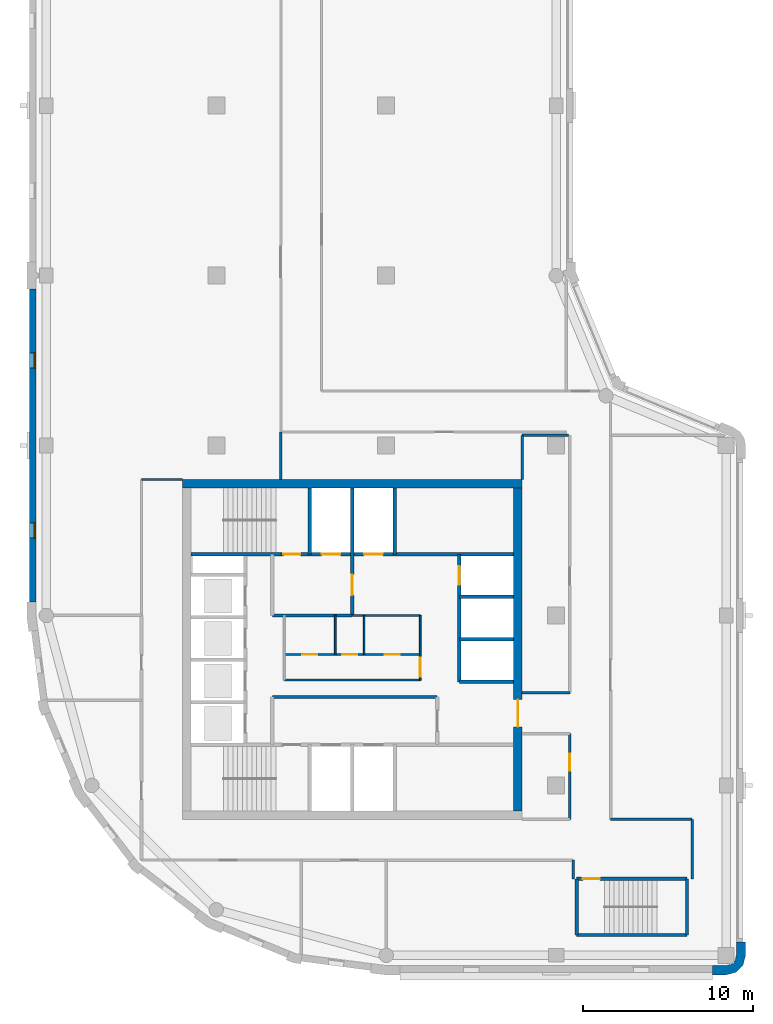
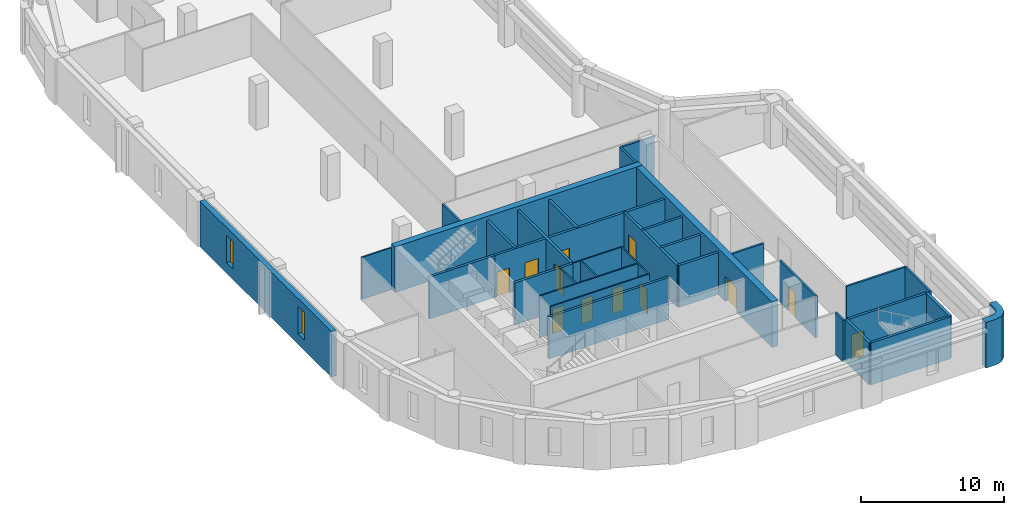
# One storey, part 3 of 8: 34 walls, 12 doors, 2 windows, 14 openings.
"""IFC4 building model written with IfcOpenShell, lengths in metres."""

from ifc_helpers import new_model, si_unit, direction, frame, frame_2d, origin, place, context, subcontext, project, spatial, polyline, rectangle, outline, extrude, material, layer, layer_set, type_object, element, fill, save


model = new_model("IFC4")

# Units and contexts
model_context = context("Model", 3, precision=1e-05, world=origin(), true_north=direction((0.0, 1.0)))
body_context = subcontext(model_context, "Body", "Model", "MODEL_VIEW")
ifc_project = project(units=[si_unit("LENGTHUNIT", "METRE"), si_unit("AREAUNIT", "SQUARE_METRE"), si_unit("VOLUMEUNIT", "CUBIC_METRE"), si_unit("PLANEANGLEUNIT", "RADIAN"), si_unit("MASSUNIT", "GRAM", prefix="KILO")], contexts=[model_context])

# Site, building, storey
site_placement = place(None, origin())
site = spatial("IfcSite", under=ifc_project, at=site_placement, CompositionType="ELEMENT")
building_placement = place(site_placement, origin())
building = spatial("IfcBuilding", under=site, at=building_placement, Name="Qaws Garden Tower", CompositionType="ELEMENT")
storey_placement = place(building_placement, frame((0.0, 0.0, 282.60009765625)))
storey = spatial("IfcBuildingStorey", under=building, at=storey_placement, Name="L68", CompositionType="ELEMENT", Elevation=282.60009765625)

# Wall
ifc_material_1 = material(Name="Clay facing brick masonry", Category="masonry")
ifc_layer_1 = layer(ifc_material_1, 0.550048828125)
ifc_layer_set_1 = layer_set([ifc_layer_1], Name="Clay facing brick masonry")
wall_type_1 = type_object("IfcWallType", Name="Brick corner pier 550 x 2400", PredefinedType="SOLIDWALL", material=ifc_layer_set_1)
wall_1_placement = place(storey_placement, origin())
element("IfcWall", 1, at=wall_1_placement, inside=storey, type_object=wall_type_1, Name="E-L68-pier-02", PredefinedType="SOLIDWALL", context=body_context, shape_type="SweptSolid", body=[
    extrude(outline(polyline([(39.199951171875, -1.0), (39.199951171875, -1.14990234375), (40.0, -1.14990234375), (40.574951171875, -0.995849609375), (40.995849609375, -0.574951171875), (41.14990234375, 0.0), (41.14990234375, 0.800048828125), (41.0, 0.800048828125), (40.60009765625, 0.800048828125), (40.60009765625, 0.0), (40.51953125, -0.300048828125), (40.300048828125, -0.51953125), (40.0, -0.60009765625), (39.199951171875, -0.60009765625), (39.199951171875, -1.0)])), origin(), (0.0, 0.0, 1.0), 3.89990234375),
])

# Wall, openings, windows
ifc_material_2 = material(Name="Clay facing brick masonry", Category="masonry")
ifc_layer_2 = layer(ifc_material_2, 0.39990234375)
ifc_layer_set_2 = layer_set([ifc_layer_2], Name="Clay facing brick masonry")
wall_type_2 = type_object("IfcWallType", Name="Brick infill wall 400", PredefinedType="SOLIDWALL", material=ifc_layer_set_2)
wall_2_placement = place(storey_placement, frame((-0.800048828125, 39.199951171875, 0.0), z_axis=(0.0, 0.0, 1.0), x_axis=(0.0, -1.0, 0.0)))
wall_2 = element("IfcWall", 2, at=wall_2_placement, inside=storey, type_object=wall_type_2, Name="E-L68-infill-19", PredefinedType="SOLIDWALL", context=body_context, shape_type="SweptSolid", body=[
    extrude(rectangle(XDim=18.39990234375, YDim=0.39990234375, at=frame_2d((9.199951171875, 0.0))), origin(), (0.0, 0.0, 1.0), 3.89990234375),
])
opening_1_placement = place(wall_2_placement, frame((3.75, 0.0, 0.89990234375)))
opening_1 = element("IfcOpeningElement", 3, at=opening_1_placement, cuts=wall_2, Name="Opening W09", PredefinedType="OPENING", context=body_context, shape_type="SweptSolid", body=[
    extrude(rectangle(XDim=0.89990234375, YDim=2.35009765625, at=frame_2d((0.449951171875, 1.175048828125))), frame((0.0, 0.2099609375, 0.0), z_axis=(0.0, -1.0, 0.0), x_axis=(1.0, 0.0, 0.0)), (0.0, 0.0, 1.0), 0.419921875),
])
opening_2_placement = place(wall_2_placement, frame((13.75, 0.0, 0.89990234375)))
opening_2 = element("IfcOpeningElement", 4, at=opening_2_placement, cuts=wall_2, Name="Opening W09", PredefinedType="OPENING", context=body_context, shape_type="SweptSolid", body=[
    extrude(rectangle(XDim=0.89990234375, YDim=2.35009765625, at=frame_2d((0.449951171875, 1.175048828125))), frame((0.0, 0.2099609375, 0.0), z_axis=(0.0, -1.0, 0.0), x_axis=(1.0, 0.0, 0.0)), (0.0, 0.0, 1.0), 0.419921875),
])
ifc_material_3 = material(Name="Aluminium framed window, clear glazing", Category="aluminium")
window_type = type_object("IfcWindowType", Name="Slit window 900 x 2350", PartitioningType="SINGLE_PANEL", PredefinedType="WINDOW", material=ifc_material_3)
window_1_placement = place(opening_1_placement, origin())
window_1 = element("IfcWindow", 5, at=window_1_placement, inside=storey, type_object=window_type, Name="E-L68-window-19-0", OverallHeight=2.35009765625, OverallWidth=0.89990234375, PartitioningType="SINGLE_PANEL", PredefinedType="WINDOW", context=body_context, shape_type="SweptSolid", body=[
    extrude(rectangle(XDim=0.89990234375, YDim=2.35009765625, at=frame_2d((0.449951171875, 1.175048828125))), frame((0.0, 0.159912109375, 0.0), z_axis=(0.0, -1.0, 0.0), x_axis=(1.0, 0.0, 0.0)), (0.0, 0.0, 1.0), 0.06005859375),
])
fill(opening_1, window_1)
window_2_placement = place(opening_2_placement, origin())
window_2 = element("IfcWindow", 6, at=window_2_placement, inside=storey, type_object=window_type, Name="E-L68-window-20-0", OverallHeight=2.35009765625, OverallWidth=0.89990234375, PartitioningType="SINGLE_PANEL", PredefinedType="WINDOW", context=body_context, shape_type="SweptSolid", body=[
    extrude(rectangle(XDim=0.89990234375, YDim=2.35009765625, at=frame_2d((0.449951171875, 1.175048828125))), frame((0.0, 0.159912109375, 0.0), z_axis=(0.0, -1.0, 0.0), x_axis=(1.0, 0.0, 0.0)), (0.0, 0.0, 1.0), 0.06005859375),
])
fill(opening_2, window_2)

# Wall
ifc_material_4 = material(Name="Plasterboard")
ifc_layer_3 = layer(ifc_material_4, 0.10009765625)
ifc_layer_set_3 = layer_set([ifc_layer_3], Name="Plasterboard")
wall_type_3 = type_object("IfcWallType", Name="Core partition 100", PredefinedType="PARTITIONING", material=ifc_layer_set_3)
wall_3_placement = place(storey_placement, frame((14.0, 16.199951171875, 0.0), z_axis=(0.0, 0.0, 1.0), x_axis=(1.0, 0.0, 0.0)))
element("IfcWall", 7, at=wall_3_placement, inside=storey, type_object=wall_type_3, Name="Core partition", PredefinedType="PARTITIONING", context=body_context, shape_type="SweptSolid", body=[
    extrude(rectangle(XDim=8.0, YDim=0.10009765625, at=frame_2d((4.0, 0.0))), origin(), (0.0, 0.0, 1.0), 3.579833984375),
])

# Wall, openings, doors
wall_4_placement = place(storey_placement, frame((14.0, 17.699951171875, 0.0), z_axis=(0.0, 0.0, 1.0), x_axis=(1.0, 0.0, 0.0)))
wall_4 = element("IfcWall", 8, at=wall_4_placement, inside=storey, type_object=wall_type_3, Name="Core partition", PredefinedType="PARTITIONING", context=body_context, shape_type="SweptSolid", body=[
    extrude(rectangle(XDim=8.0, YDim=0.10009765625, at=frame_2d((4.0, 0.0))), origin(), (0.0, 0.0, 1.0), 3.579833984375),
])
opening_3_placement = place(wall_4_placement, frame((1.050048828125, 0.0, 0.0)))
opening_3 = element("IfcOpeningElement", 9, at=opening_3_placement, cuts=wall_4, Name="Opening WD18", PredefinedType="OPENING", context=body_context, shape_type="SweptSolid", body=[
    extrude(rectangle(XDim=0.89990234375, YDim=2.10009765625, at=frame_2d((0.449951171875, 1.050048828125))), frame((0.0, 0.06005859375, 0.0), z_axis=(0.0, -1.0, 0.0), x_axis=(1.0, 0.0, 0.0)), (0.0, 0.0, 1.0), 0.1201171875),
])
opening_4_placement = place(wall_4_placement, frame((3.39990234375, 0.0, 0.0)))
opening_4 = element("IfcOpeningElement", 10, at=opening_4_placement, cuts=wall_4, Name="Opening WD19", PredefinedType="OPENING", context=body_context, shape_type="SweptSolid", body=[
    extrude(rectangle(XDim=0.89990234375, YDim=2.10009765625, at=frame_2d((0.449951171875, 1.050048828125))), frame((0.0, 0.06005859375, 0.0), z_axis=(0.0, -1.0, 0.0), x_axis=(1.0, 0.0, 0.0)), (0.0, 0.0, 1.0), 0.1201171875),
])
opening_5_placement = place(wall_4_placement, frame((5.89990234375, 0.0, 0.0)))
opening_5 = element("IfcOpeningElement", 11, at=opening_5_placement, cuts=wall_4, Name="Opening WD20", PredefinedType="OPENING", context=body_context, shape_type="SweptSolid", body=[
    extrude(rectangle(XDim=0.89990234375, YDim=2.10009765625, at=frame_2d((0.449951171875, 1.050048828125))), frame((0.0, 0.06005859375, 0.0), z_axis=(0.0, -1.0, 0.0), x_axis=(1.0, 0.0, 0.0)), (0.0, 0.0, 1.0), 0.1201171875),
])
ifc_material_5 = material(Name="Timber", Category="wood")
door_type_1 = type_object("IfcDoorType", Name="WC door 900x2100", OperationType="SINGLE_SWING_LEFT", PredefinedType="DOOR", material=ifc_material_5)
door_1_placement = place(opening_3_placement, origin())
door_1 = element("IfcDoor", 12, at=door_1_placement, inside=storey, type_object=door_type_1, Name="Men's WC door", OperationType="SINGLE_SWING_RIGHT", OverallHeight=2.10009765625, OverallWidth=0.89990234375, PredefinedType="DOOR", context=body_context, shape_type="SweptSolid", body=[
    extrude(rectangle(XDim=0.89990234375, YDim=2.10009765625, at=frame_2d((0.449951171875, 1.050048828125))), frame((0.0, 0.02490234375, 0.0), z_axis=(0.0, -1.0, 0.0), x_axis=(1.0, 0.0, 0.0)), (0.0, 0.0, 1.0), 0.050048828125),
])
fill(opening_3, door_1)
door_2_placement = place(opening_4_placement, origin())
door_2 = element("IfcDoor", 13, at=door_2_placement, inside=storey, type_object=door_type_1, Name="Accessible WC door", OperationType="SINGLE_SWING_RIGHT", OverallHeight=2.10009765625, OverallWidth=0.89990234375, PredefinedType="DOOR", context=body_context, shape_type="SweptSolid", body=[
    extrude(rectangle(XDim=0.89990234375, YDim=2.10009765625, at=frame_2d((0.449951171875, 1.050048828125))), frame((0.0, 0.02490234375, 0.0), z_axis=(0.0, -1.0, 0.0), x_axis=(1.0, 0.0, 0.0)), (0.0, 0.0, 1.0), 0.050048828125),
])
fill(opening_4, door_2)
door_3_placement = place(opening_5_placement, origin())
door_3 = element("IfcDoor", 14, at=door_3_placement, inside=storey, type_object=door_type_1, Name="Women's WC door", OperationType="SINGLE_SWING_RIGHT", OverallHeight=2.10009765625, OverallWidth=0.89990234375, PredefinedType="DOOR", context=body_context, shape_type="SweptSolid", body=[
    extrude(rectangle(XDim=0.89990234375, YDim=2.10009765625, at=frame_2d((0.449951171875, 1.050048828125))), frame((0.0, 0.02490234375, 0.0), z_axis=(0.0, -1.0, 0.0), x_axis=(1.0, 0.0, 0.0)), (0.0, 0.0, 1.0), 0.050048828125),
])
fill(opening_5, door_3)

# Walls
wall_5_placement = place(storey_placement, frame((18.0, 20.0, 0.0), z_axis=(0.0, 0.0, 1.0), x_axis=(1.0, 0.0, 0.0)))
element("IfcWall", 15, at=wall_5_placement, inside=storey, type_object=wall_type_3, Name="Core partition", PredefinedType="PARTITIONING", context=body_context, shape_type="SweptSolid", body=[
    extrude(rectangle(XDim=4.0, YDim=0.10009765625, at=frame_2d((2.0, 0.0))), origin(), (0.0, 0.0, 1.0), 3.579833984375),
])
for number, where, z_axis, x_axis, name in (
    (16, (17.0, 17.699951171875, 0.0), (0.0, 0.0, 1.0), (0.0, 1.0, 0.0), "Core partition"),
    (17, (18.699951171875, 17.699951171875, 0.0), (0.0, 0.0, 1.0), (0.0, 1.0, 0.0), "Core partition"),
):
    element("IfcWall", number, at=place(storey_placement, frame(where, z_axis=z_axis, x_axis=x_axis)), inside=storey, type_object=wall_type_3, Name=name, PredefinedType="PARTITIONING", context=body_context, shape_type="SweptSolid", body=[
        extrude(rectangle(XDim=2.300048828125, YDim=0.10009765625, at=frame_2d((1.14990234375, 0.0))), origin(), (0.0, 0.0, 1.0), 3.579833984375),
    ])

# Wall, opening, door
wall_6_placement = place(storey_placement, frame((22.0, 16.199951171875, 0.0), z_axis=(0.0, 0.0, 1.0), x_axis=(0.0, 1.0, 0.0)))
wall_6 = element("IfcWall", 18, at=wall_6_placement, inside=storey, type_object=wall_type_3, Name="Core partition", PredefinedType="PARTITIONING", context=body_context, shape_type="SweptSolid", body=[
    extrude(rectangle(XDim=3.800048828125, YDim=0.10009765625, at=frame_2d((1.89990234375, 0.0))), origin(), (0.0, 0.0, 1.0), 3.579833984375),
])
opening_6_placement = place(wall_6_placement, frame((0.199951171875, 0.0, 0.0)))
opening_6 = element("IfcOpeningElement", 19, at=opening_6_placement, cuts=wall_6, Name="Opening WL17", PredefinedType="OPENING", context=body_context, shape_type="SweptSolid", body=[
    extrude(rectangle(XDim=1.10009765625, YDim=2.10009765625, at=frame_2d((0.550048828125, 1.050048828125))), frame((0.0, 0.06005859375, 0.0), z_axis=(0.0, -1.0, 0.0), x_axis=(1.0, 0.0, 0.0)), (0.0, 0.0, 1.0), 0.1201171875),
])
ifc_material_6 = material(Name="Timber", Category="wood")
door_type_2 = type_object("IfcDoorType", Name="WC lobby door 1100x2100", OperationType="SINGLE_SWING_LEFT", PredefinedType="DOOR", material=ifc_material_6)
door_4_placement = place(opening_6_placement, origin())
door_4 = element("IfcDoor", 20, at=door_4_placement, inside=storey, type_object=door_type_2, Name="WC lobby door", OperationType="SINGLE_SWING_RIGHT", OverallHeight=2.10009765625, OverallWidth=1.10009765625, PredefinedType="DOOR", context=body_context, shape_type="SweptSolid", body=[
    extrude(rectangle(XDim=1.10009765625, YDim=2.10009765625, at=frame_2d((0.550048828125, 1.050048828125))), frame((0.0, 0.02490234375, 0.0), z_axis=(0.0, -1.0, 0.0), x_axis=(1.0, 0.0, 0.0)), (0.0, 0.0, 1.0), 0.050048828125),
])
fill(opening_6, door_4)

# Wall
ifc_material_7 = material(Name="Concrete C60", Category="concrete")
ifc_layer_4 = layer(ifc_material_7, 0.199951171875)
ifc_layer_set_4 = layer_set([ifc_layer_4], Name="Concrete C60")
wall_type_4 = type_object("IfcWallType", Name="Core shaft wall 200 C60", PredefinedType="SHEAR", material=ifc_layer_set_4)
wall_7_placement = place(storey_placement, frame((31.199951171875, 1.199951171875, 0.0), z_axis=(0.0, 0.0, 1.0), x_axis=(1.0, 0.0, 0.0)))
element("IfcWall", 21, at=wall_7_placement, inside=storey, type_object=wall_type_4, Name="Shaft wall", PredefinedType="SHEAR", context=body_context, shape_type="SweptSolid", body=[
    extrude(rectangle(XDim=6.5, YDim=0.199951171875, at=frame_2d((3.25, 0.0))), origin(), (0.0, 0.0, 1.0), 3.579833984375),
])

# Wall, opening, door
wall_8_placement = place(storey_placement, frame((31.199951171875, 4.5, 0.0), z_axis=(0.0, 0.0, 1.0), x_axis=(1.0, 0.0, 0.0)))
wall_8 = element("IfcWall", 22, at=wall_8_placement, inside=storey, type_object=wall_type_4, Name="Shaft wall", PredefinedType="SHEAR", context=body_context, shape_type="SweptSolid", body=[
    extrude(rectangle(XDim=6.5, YDim=0.199951171875, at=frame_2d((3.25, 0.0))), origin(), (0.0, 0.0, 1.0), 3.579833984375),
])
opening_7_placement = place(wall_8_placement, frame((0.375, 0.0, 0.0)))
opening_7 = element("IfcOpeningElement", 23, at=opening_7_placement, cuts=wall_8, Name="Opening SD12", PredefinedType="OPENING", context=body_context, shape_type="SweptSolid", body=[
    extrude(rectangle(XDim=1.0, YDim=2.10009765625, at=frame_2d((0.5, 1.050048828125))), frame((0.0, 0.10986328125, 0.0), z_axis=(0.0, -1.0, 0.0), x_axis=(1.0, 0.0, 0.0)), (0.0, 0.0, 1.0), 0.219970703125),
])
ifc_material_8 = material(Name="Steel S235", Category="steel")
door_type_3 = type_object("IfcDoorType", Name="Stair door 1000x2100", OperationType="SINGLE_SWING_RIGHT", PredefinedType="DOOR", material=ifc_material_8)
door_5_placement = place(opening_7_placement, frame((1.0, 0.0, 0.0), z_axis=(0.0, 0.0, 1.0), x_axis=(-1.0, 0.0, 0.0)))
door_5 = element("IfcDoor", 24, at=door_5_placement, inside=storey, type_object=door_type_3, Name="Stair 5 door", OperationType="SINGLE_SWING_RIGHT", OverallHeight=2.10009765625, OverallWidth=1.0, PredefinedType="DOOR", context=body_context, shape_type="SweptSolid", body=[
    extrude(rectangle(XDim=1.0, YDim=2.10009765625, at=frame_2d((0.5, 1.050048828125))), frame((0.0, 0.02490234375, 0.0), z_axis=(0.0, -1.0, 0.0), x_axis=(1.0, 0.0, 0.0)), (0.0, 0.0, 1.0), 0.050048828125),
])
fill(opening_7, door_5)

# Walls
wall_9_placement = place(storey_placement, frame((13.300048828125, 15.199951171875, 0.0), z_axis=(0.0, 0.0, 1.0), x_axis=(1.0, 0.0, 0.0)))
element("IfcWall", 25, at=wall_9_placement, inside=storey, type_object=wall_type_4, Name="Shaft wall", PredefinedType="SHEAR", context=body_context, shape_type="SweptSolid", body=[
    extrude(rectangle(XDim=9.699951171875, YDim=0.199951171875, at=frame_2d((4.85009765625, 0.0))), origin(), (0.0, 0.0, 1.0), 3.579833984375),
])
for number, where, z_axis, x_axis, name in (
    (26, (24.300048828125, 16.10009765625, 0.0), (0.0, 0.0, 1.0), (1.0, 0.0, 0.0), "Shaft wall"),
    (27, (24.300048828125, 18.60009765625, 0.0), (0.0, 0.0, 1.0), (1.0, 0.0, 0.0), "Shaft wall"),
):
    element("IfcWall", number, at=place(storey_placement, frame(where, z_axis=z_axis, x_axis=x_axis)), inside=storey, type_object=wall_type_4, Name=name, PredefinedType="SHEAR", context=body_context, shape_type="SweptSolid", body=[
        extrude(rectangle(XDim=3.199951171875, YDim=0.199951171875, at=frame_2d((1.60009765625, 0.0))), origin(), (0.0, 0.0, 1.0), 3.579833984375),
    ])
wall_10_placement = place(storey_placement, frame((13.300048828125, 20.0, 0.0), z_axis=(0.0, 0.0, 1.0), x_axis=(1.0, 0.0, 0.0)))
element("IfcWall", 28, at=wall_10_placement, inside=storey, type_object=wall_type_4, Name="Shaft wall", PredefinedType="SHEAR", context=body_context, shape_type="SweptSolid", body=[
    extrude(rectangle(XDim=4.699951171875, YDim=0.199951171875, at=frame_2d((2.35009765625, 0.0))), origin(), (0.0, 0.0, 1.0), 3.579833984375),
])
wall_11_placement = place(storey_placement, frame((24.300048828125, 21.10009765625, 0.0), z_axis=(0.0, 0.0, 1.0), x_axis=(1.0, 0.0, 0.0)))
element("IfcWall", 29, at=wall_11_placement, inside=storey, type_object=wall_type_4, Name="Shaft wall", PredefinedType="SHEAR", context=body_context, shape_type="SweptSolid", body=[
    extrude(rectangle(XDim=3.199951171875, YDim=0.199951171875, at=frame_2d((1.60009765625, 0.0))), origin(), (0.0, 0.0, 1.0), 3.579833984375),
])
wall_12_placement = place(storey_placement, frame((8.5, 23.60009765625, 0.0), z_axis=(0.0, 0.0, 1.0), x_axis=(1.0, 0.0, 0.0)))
element("IfcWall", 30, at=wall_12_placement, inside=storey, type_object=wall_type_4, Name="Shaft wall", PredefinedType="SHEAR", context=body_context, shape_type="SweptSolid", body=[
    extrude(rectangle(XDim=5.300048828125, YDim=0.199951171875, at=frame_2d((2.64990234375, 0.0))), origin(), (0.0, 0.0, 1.0), 3.579833984375),
])

# Wall, openings, doors
wall_13_placement = place(storey_placement, frame((13.800048828125, 23.60009765625, 0.0), z_axis=(0.0, 0.0, 1.0), x_axis=(1.0, 0.0, 0.0)))
wall_13 = element("IfcWall", 31, at=wall_13_placement, inside=storey, type_object=wall_type_4, Name="Shaft wall", PredefinedType="SHEAR", context=body_context, shape_type="SweptSolid", body=[
    extrude(rectangle(XDim=13.699951171875, YDim=0.199951171875, at=frame_2d((6.85009765625, 0.0))), origin(), (0.0, 0.0, 1.0), 3.579833984375),
])
opening_8_placement = place(wall_13_placement, frame((2.39990234375, 0.0, 0.0)))
opening_8 = element("IfcOpeningElement", 32, at=opening_8_placement, cuts=wall_13, Name="Opening LD08", PredefinedType="OPENING", context=body_context, shape_type="SweptSolid", body=[
    extrude(rectangle(XDim=1.10009765625, YDim=2.10009765625, at=frame_2d((0.550048828125, 1.050048828125))), frame((0.0, 0.10986328125, 0.0), z_axis=(0.0, -1.0, 0.0), x_axis=(1.0, 0.0, 0.0)), (0.0, 0.0, 1.0), 0.219970703125),
])
opening_9_placement = place(wall_13_placement, frame((4.89990234375, 0.0, 0.0)))
opening_9 = element("IfcOpeningElement", 33, at=opening_9_placement, cuts=wall_13, Name="Opening LD09", PredefinedType="OPENING", context=body_context, shape_type="SweptSolid", body=[
    extrude(rectangle(XDim=1.10009765625, YDim=2.10009765625, at=frame_2d((0.550048828125, 1.050048828125))), frame((0.0, 0.10986328125, 0.0), z_axis=(0.0, -1.0, 0.0), x_axis=(1.0, 0.0, 0.0)), (0.0, 0.0, 1.0), 0.219970703125),
])
opening_10_placement = place(wall_13_placement, frame((0.14990234375, 0.0, 0.0)))
opening_10 = element("IfcOpeningElement", 34, at=opening_10_placement, cuts=wall_13, Name="Opening SD11", PredefinedType="OPENING", context=body_context, shape_type="SweptSolid", body=[
    extrude(rectangle(XDim=1.0, YDim=2.10009765625, at=frame_2d((0.5, 1.050048828125))), frame((0.0, 0.10986328125, 0.0), z_axis=(0.0, -1.0, 0.0), x_axis=(1.0, 0.0, 0.0)), (0.0, 0.0, 1.0), 0.219970703125),
])
ifc_material_9 = material(Name="Steel S235", Category="steel")
door_type_4 = type_object("IfcDoorType", Name="Landing door 1100x2100", OperationType="DOUBLE_DOOR_SLIDING", PredefinedType="DOOR", material=ifc_material_9)
door_6_placement = place(opening_8_placement, origin())
door_6 = element("IfcDoor", 35, at=door_6_placement, inside=storey, type_object=door_type_4, Name="Lift FF3 landing door", OperationType="DOUBLE_DOOR_SLIDING", OverallHeight=2.10009765625, OverallWidth=1.10009765625, PredefinedType="DOOR", context=body_context, shape_type="SweptSolid", body=[
    extrude(rectangle(XDim=1.10009765625, YDim=2.10009765625, at=frame_2d((0.550048828125, 1.050048828125))), frame((0.0, 0.02490234375, 0.0), z_axis=(0.0, -1.0, 0.0), x_axis=(1.0, 0.0, 0.0)), (0.0, 0.0, 1.0), 0.050048828125),
])
fill(opening_8, door_6)
door_7_placement = place(opening_9_placement, origin())
door_7 = element("IfcDoor", 36, at=door_7_placement, inside=storey, type_object=door_type_4, Name="Lift SV2 landing door", OperationType="DOUBLE_DOOR_SLIDING", OverallHeight=2.10009765625, OverallWidth=1.10009765625, PredefinedType="DOOR", context=body_context, shape_type="SweptSolid", body=[
    extrude(rectangle(XDim=1.10009765625, YDim=2.10009765625, at=frame_2d((0.550048828125, 1.050048828125))), frame((0.0, 0.02490234375, 0.0), z_axis=(0.0, -1.0, 0.0), x_axis=(1.0, 0.0, 0.0)), (0.0, 0.0, 1.0), 0.050048828125),
])
fill(opening_9, door_7)
door_8_placement = place(opening_10_placement, origin())
door_8 = element("IfcDoor", 37, at=door_8_placement, inside=storey, type_object=door_type_3, Name="Stair 4 door", OperationType="SINGLE_SWING_RIGHT", OverallHeight=2.10009765625, OverallWidth=1.0, PredefinedType="DOOR", context=body_context, shape_type="SweptSolid", body=[
    extrude(rectangle(XDim=1.0, YDim=2.10009765625, at=frame_2d((0.5, 1.050048828125))), frame((0.0, 0.02490234375, 0.0), z_axis=(0.0, -1.0, 0.0), x_axis=(1.0, 0.0, 0.0)), (0.0, 0.0, 1.0), 0.050048828125),
])
fill(opening_10, door_8)

# Wall
wall_14_placement = place(storey_placement, frame((15.5, 23.60009765625, 0.0), z_axis=(0.0, 0.0, 1.0), x_axis=(0.0, 1.0, 0.0)))
element("IfcWall", 38, at=wall_14_placement, inside=storey, type_object=wall_type_4, Name="Shaft wall", PredefinedType="SHEAR", context=body_context, shape_type="SweptSolid", body=[
    extrude(rectangle(XDim=3.89990234375, YDim=0.199951171875, at=frame_2d((1.949951171875, 0.0))), origin(), (0.0, 0.0, 1.0), 3.579833984375),
])

# Wall, opening, door
wall_15_placement = place(storey_placement, frame((18.0, 20.0, 0.0), z_axis=(0.0, 0.0, 1.0), x_axis=(0.0, 1.0, 0.0)))
wall_15 = element("IfcWall", 39, at=wall_15_placement, inside=storey, type_object=wall_type_4, Name="Shaft wall", PredefinedType="SHEAR", context=body_context, shape_type="SweptSolid", body=[
    extrude(rectangle(XDim=7.5, YDim=0.199951171875, at=frame_2d((3.75, 0.0))), origin(), (0.0, 0.0, 1.0), 3.579833984375),
])
opening_11_placement = place(wall_15_placement, frame((1.199951171875, 0.0, 0.0)))
opening_11 = element("IfcOpeningElement", 40, at=opening_11_placement, cuts=wall_15, Name="Opening FD16", PredefinedType="OPENING", context=body_context, shape_type="SweptSolid", body=[
    extrude(rectangle(XDim=1.199951171875, YDim=2.10009765625, at=frame_2d((0.60009765625, 1.050048828125))), frame((0.0, 0.10986328125, 0.0), z_axis=(0.0, -1.0, 0.0), x_axis=(1.0, 0.0, 0.0)), (0.0, 0.0, 1.0), 0.219970703125),
])
ifc_material_10 = material(Name="Steel S235", Category="steel")
door_type_5 = type_object("IfcDoorType", Name="Lobby door 1200x2100", OperationType="DOUBLE_DOOR_SINGLE_SWING", PredefinedType="DOOR", material=ifc_material_10)
door_9_placement = place(opening_11_placement, origin())
door_9 = element("IfcDoor", 41, at=door_9_placement, inside=storey, type_object=door_type_5, Name="Fire-fighting lobby door", OperationType="DOUBLE_DOOR_SINGLE_SWING", OverallHeight=2.10009765625, OverallWidth=1.199951171875, PredefinedType="DOOR", context=body_context, shape_type="SweptSolid", body=[
    extrude(rectangle(XDim=1.199951171875, YDim=2.10009765625, at=frame_2d((0.60009765625, 1.050048828125))), frame((0.0, 0.02490234375, 0.0), z_axis=(0.0, -1.0, 0.0), x_axis=(1.0, 0.0, 0.0)), (0.0, 0.0, 1.0), 0.050048828125),
])
fill(opening_11, door_9)

# Wall
wall_16_placement = place(storey_placement, frame((20.5, 23.60009765625, 0.0), z_axis=(0.0, 0.0, 1.0), x_axis=(0.0, 1.0, 0.0)))
element("IfcWall", 42, at=wall_16_placement, inside=storey, type_object=wall_type_4, Name="Shaft wall", PredefinedType="SHEAR", context=body_context, shape_type="SweptSolid", body=[
    extrude(rectangle(XDim=3.89990234375, YDim=0.199951171875, at=frame_2d((1.949951171875, 0.0))), origin(), (0.0, 0.0, 1.0), 3.579833984375),
])

# Wall, opening, door
wall_17_placement = place(storey_placement, frame((24.300048828125, 16.10009765625, 0.0), z_axis=(0.0, 0.0, 1.0), x_axis=(0.0, 1.0, 0.0)))
wall_17 = element("IfcWall", 43, at=wall_17_placement, inside=storey, type_object=wall_type_4, Name="Shaft wall", PredefinedType="SHEAR", context=body_context, shape_type="SweptSolid", body=[
    extrude(rectangle(XDim=7.5, YDim=0.199951171875, at=frame_2d((3.75, 0.0))), origin(), (0.0, 0.0, 1.0), 3.579833984375),
])
opening_12_placement = place(wall_17_placement, frame((5.699951171875, 0.0, 0.0)))
opening_12 = element("IfcOpeningElement", 44, at=opening_12_placement, cuts=wall_17, Name="Opening LD05", PredefinedType="OPENING", context=body_context, shape_type="SweptSolid", body=[
    extrude(rectangle(XDim=1.10009765625, YDim=2.10009765625, at=frame_2d((0.550048828125, 1.050048828125))), frame((0.0, 0.10986328125, 0.0), z_axis=(0.0, -1.0, 0.0), x_axis=(1.0, 0.0, 0.0)), (0.0, 0.0, 1.0), 0.219970703125),
])
door_10_placement = place(opening_12_placement, origin())
door_10 = element("IfcDoor", 45, at=door_10_placement, inside=storey, type_object=door_type_4, Name="Lift E3 landing door", OperationType="DOUBLE_DOOR_SLIDING", OverallHeight=2.10009765625, OverallWidth=1.10009765625, PredefinedType="DOOR", context=body_context, shape_type="SweptSolid", body=[
    extrude(rectangle(XDim=1.10009765625, YDim=2.10009765625, at=frame_2d((0.550048828125, 1.050048828125))), frame((0.0, 0.02490234375, 0.0), z_axis=(0.0, -1.0, 0.0), x_axis=(1.0, 0.0, 0.0)), (0.0, 0.0, 1.0), 0.050048828125),
])
fill(opening_12, door_10)

# Walls
for number, where, z_axis, x_axis, name in (
    (46, (31.199951171875, 1.199951171875, 0.0), (0.0, 0.0, 1.0), (0.0, 1.0, 0.0), "Shaft wall"),
    (47, (37.699951171875, 1.199951171875, 0.0), (0.0, 0.0, 1.0), (0.0, 1.0, 0.0), "Shaft wall"),
):
    element("IfcWall", number, at=place(storey_placement, frame(where, z_axis=z_axis, x_axis=x_axis)), inside=storey, type_object=wall_type_4, Name=name, PredefinedType="SHEAR", context=body_context, shape_type="SweptSolid", body=[
        extrude(rectangle(XDim=3.300048828125, YDim=0.199951171875, at=frame_2d((1.64990234375, 0.0))), origin(), (0.0, 0.0, 1.0), 3.579833984375),
    ])

# Wall, opening, door
ifc_material_11 = material(Name="Concrete C60", Category="concrete")
ifc_layer_5 = layer(ifc_material_11, 0.5)
ifc_layer_set_5 = layer_set([ifc_layer_5], Name="Concrete C60")
wall_type_5 = type_object("IfcWallType", Name="Core wall 500 C60", PredefinedType="SHEAR", material=ifc_layer_set_5)
wall_18_placement = place(storey_placement, frame((27.75, 8.5, 0.0), z_axis=(0.0, 0.0, 1.0), x_axis=(0.0, 1.0, 0.0)))
wall_18 = element("IfcWall", 48, at=wall_18_placement, inside=storey, type_object=wall_type_5, Name="Core wall L68 east", PredefinedType="SHEAR", context=body_context, shape_type="SweptSolid", body=[
    extrude(rectangle(XDim=19.0, YDim=0.5, at=frame_2d((9.5, 0.0))), origin(), (0.0, 0.0, 1.0), 3.89990234375),
])
opening_13_placement = place(wall_18_placement, frame((4.949951171875, 0.0, 0.0)))
opening_13 = element("IfcOpeningElement", 49, at=opening_13_placement, cuts=wall_18, Name="Opening ED21", PredefinedType="OPENING", context=body_context, shape_type="SweptSolid", body=[
    extrude(rectangle(XDim=1.60009765625, YDim=2.10009765625, at=frame_2d((0.800048828125, 1.050048828125))), frame((0.0, 0.260009765625, 0.0), z_axis=(0.0, -1.0, 0.0), x_axis=(1.0, 0.0, 0.0)), (0.0, 0.0, 1.0), 0.52001953125),
])
ifc_material_12 = material(Name="Steel S235", Category="steel")
door_type_6 = type_object("IfcDoorType", Name="Core entrance door 1600x2100", OperationType="DOUBLE_DOOR_SINGLE_SWING", PredefinedType="DOOR", material=ifc_material_12)
door_11_placement = place(opening_13_placement, origin())
door_11 = element("IfcDoor", 50, at=door_11_placement, inside=storey, type_object=door_type_6, Name="Core entrance door", OperationType="DOUBLE_DOOR_SINGLE_SWING", OverallHeight=2.10009765625, OverallWidth=1.60009765625, PredefinedType="DOOR", context=body_context, shape_type="SweptSolid", body=[
    extrude(rectangle(XDim=1.60009765625, YDim=2.10009765625, at=frame_2d((0.800048828125, 1.050048828125))), frame((0.0, 0.02490234375, 0.0), z_axis=(0.0, -1.0, 0.0), x_axis=(1.0, 0.0, 0.0)), (0.0, 0.0, 1.0), 0.050048828125),
])
fill(opening_13, door_11)

# Walls
wall_19_placement = place(storey_placement, frame((28.0, 27.75, 0.0), z_axis=(0.0, 0.0, 1.0), x_axis=(-1.0, 0.0, 0.0)))
element("IfcWall", 51, at=wall_19_placement, inside=storey, type_object=wall_type_5, Name="Core wall L68 north", PredefinedType="SHEAR", context=body_context, shape_type="SweptSolid", body=[
    extrude(rectangle(XDim=20.0, YDim=0.5, at=frame_2d((10.0, 0.0))), origin(), (0.0, 0.0, 1.0), 3.89990234375),
])
ifc_material_13 = material(Name="Glass and aluminium framing", Category="aluminium")
ifc_layer_6 = layer(ifc_material_13, 0.1201171875)
ifc_layer_set_6 = layer_set([ifc_layer_6], Name="Glass and aluminium framing")
wall_type_6 = type_object("IfcWallType", Name="GLAZED PARTITION 120 EI 30", PredefinedType="PARTITIONING", material=ifc_layer_set_6)
wall_20_placement = place(storey_placement, frame((5.60009765625, 28.0, 0.0), z_axis=(0.0, 0.0, 1.0), x_axis=(1.0, 0.0, 0.0)))
element("IfcWall", 52, at=wall_20_placement, inside=storey, type_object=wall_type_6, Name="O-L68-wall-035", PredefinedType="PARTITIONING", context=body_context, shape_type="SweptSolid", body=[
    extrude(rectangle(XDim=2.39990234375, YDim=0.1201171875, at=frame_2d((1.199951171875, 0.0))), origin(), (0.0, 0.0, 1.0), 3.579833984375),
])
ifc_material_14 = material(Name="Gypsum board partition")
ifc_layer_7 = layer(ifc_material_14, 0.14990234375)
ifc_layer_set_7 = layer_set([ifc_layer_7], Name="Gypsum board partition")
wall_type_7 = type_object("IfcWallType", Name="PARTITION 150 EI 60", PredefinedType="PARTITIONING", material=ifc_layer_set_7)
wall_21_placement = place(storey_placement, frame((13.800048828125, 28.0, 0.0), z_axis=(0.0, 0.0, 1.0), x_axis=(0.0, 1.0, 0.0)))
element("IfcWall", 53, at=wall_21_placement, inside=storey, type_object=wall_type_7, Name="O-L68-wall-002", PredefinedType="PARTITIONING", context=body_context, shape_type="SweptSolid", body=[
    extrude(rectangle(XDim=2.801025390625, YDim=0.14990234375, at=frame_2d((1.400390625, 0.0))), origin(), (0.0, 0.0, 1.0), 3.579833984375),
])
wall_22_placement = place(storey_placement, frame((28.0, 28.0, 0.0), z_axis=(0.0, 0.0, 1.0), x_axis=(0.0, 1.0, 0.0)))
element("IfcWall", 54, at=wall_22_placement, inside=storey, type_object=wall_type_7, Name="O-L68-wall-007", PredefinedType="PARTITIONING", context=body_context, shape_type="SweptSolid", body=[
    extrude(rectangle(XDim=2.597900390625, YDim=0.14990234375, at=frame_2d((1.298828125, 0.0))), origin(), (0.0, 0.0, 1.0), 3.579833984375),
])

# Wall, opening, door
wall_23_placement = place(storey_placement, frame((30.800048828125, 8.0, 0.0), z_axis=(0.0, 0.0, 1.0), x_axis=(0.0, 1.0, 0.0)))
wall_23 = element("IfcWall", 55, at=wall_23_placement, inside=storey, type_object=wall_type_7, Name="O-L68-wall-009", PredefinedType="PARTITIONING", context=body_context, shape_type="SweptSolid", body=[
    extrude(rectangle(XDim=5.050048828125, YDim=0.14990234375, at=frame_2d((2.52490234375, 0.0))), origin(), (0.0, 0.0, 1.0), 3.579833984375),
])
opening_14_placement = place(wall_23_placement, frame((2.85009765625, 0.0, 0.0)))
opening_14 = element("IfcOpeningElement", 56, at=opening_14_placement, cuts=wall_23, Name="Opening C4B10", PredefinedType="OPENING", context=body_context, shape_type="SweptSolid", body=[
    extrude(rectangle(XDim=1.0, YDim=2.10009765625, at=frame_2d((0.5, 1.050048828125))), frame((0.0, 0.0849609375, 0.0), z_axis=(0.0, -1.0, 0.0), x_axis=(1.0, 0.0, 0.0)), (0.0, 0.0, 1.0), 0.169921875),
])
ifc_material_15 = material(Name="Timber door leaf", Category="wood")
door_type_7 = type_object("IfcDoorType", Name="TENANCY ENTRANCE DOOR 1000 X 2100", OperationType="SINGLE_SWING_LEFT", PredefinedType="DOOR", material=ifc_material_15)
door_12_placement = place(opening_14_placement, origin())
door_12 = element("IfcDoor", 57, at=door_12_placement, inside=storey, type_object=door_type_7, Name="O-L68-door-010", OperationType="SINGLE_SWING_RIGHT", OverallHeight=2.10009765625, OverallWidth=1.0, PredefinedType="DOOR", context=body_context, shape_type="SweptSolid", body=[
    extrude(rectangle(XDim=1.0, YDim=2.10009765625, at=frame_2d((0.5, 1.050048828125))), frame((0.0, 0.02490234375, 0.0), z_axis=(0.0, -1.0, 0.0), x_axis=(1.0, 0.0, 0.0)), (0.0, 0.0, 1.0), 0.050048828125),
])
fill(opening_14, door_12)

# Walls
wall_24_placement = place(storey_placement, frame((31.0, 4.5009765625, 0.0), z_axis=(0.0, 0.0, 1.0), x_axis=(0.0, 1.0, 0.0)))
element("IfcWall", 58, at=wall_24_placement, inside=storey, type_object=wall_type_7, Name="O-L68-wall-011", PredefinedType="PARTITIONING", context=body_context, shape_type="SweptSolid", body=[
    extrude(rectangle(XDim=1.09912109375, YDim=0.14990234375, at=frame_2d((0.549560546875, 0.0))), origin(), (0.0, 0.0, 1.0), 3.579833984375),
])
wall_25_placement = place(storey_placement, frame((38.0, 4.5009765625, 0.0), z_axis=(0.0, 0.0, 1.0), x_axis=(0.0, 1.0, 0.0)))
element("IfcWall", 59, at=wall_25_placement, inside=storey, type_object=wall_type_7, Name="O-L68-wall-013", PredefinedType="PARTITIONING", context=body_context, shape_type="SweptSolid", body=[
    extrude(rectangle(XDim=3.4990234375, YDim=0.14990234375, at=frame_2d((1.74951171875, 0.0))), origin(), (0.0, 0.0, 1.0), 3.579833984375),
])
wall_26_placement = place(storey_placement, frame((33.199951171875, 8.0, 0.0), z_axis=(0.0, 0.0, 1.0), x_axis=(1.0, 0.0, 0.0)))
element("IfcWall", 60, at=wall_26_placement, inside=storey, type_object=wall_type_7, Name="O-L68-wall-016", PredefinedType="PARTITIONING", context=body_context, shape_type="SweptSolid", body=[
    extrude(rectangle(XDim=4.800048828125, YDim=0.14990234375, at=frame_2d((2.39990234375, 0.0))), origin(), (0.0, 0.0, 1.0), 3.579833984375),
])
wall_27_placement = place(storey_placement, frame((28.0, 15.449951171875, 0.0), z_axis=(0.0, 0.0, 1.0), x_axis=(1.0, 0.0, 0.0)))
element("IfcWall", 61, at=wall_27_placement, inside=storey, type_object=wall_type_7, Name="O-L68-wall-019", PredefinedType="PARTITIONING", context=body_context, shape_type="SweptSolid", body=[
    extrude(rectangle(XDim=2.800048828125, YDim=0.14990234375, at=frame_2d((1.39990234375, 0.0))), origin(), (0.0, 0.0, 1.0), 3.579833984375),
])
wall_28_placement = place(storey_placement, frame((28.001953125, 30.60009765625, 0.0), z_axis=(0.0, 0.0, 1.0), x_axis=(1.0, 0.0, 0.0)))
element("IfcWall", 62, at=wall_28_placement, inside=storey, type_object=wall_type_7, Name="O-L68-wall-021", PredefinedType="PARTITIONING", context=body_context, shape_type="SweptSolid", body=[
    extrude(rectangle(XDim=2.72314453125, YDim=0.14990234375, at=frame_2d((1.361572265625, 0.0))), origin(), (0.0, 0.0, 1.0), 3.579833984375),
])

save(model, "model.ifc")
